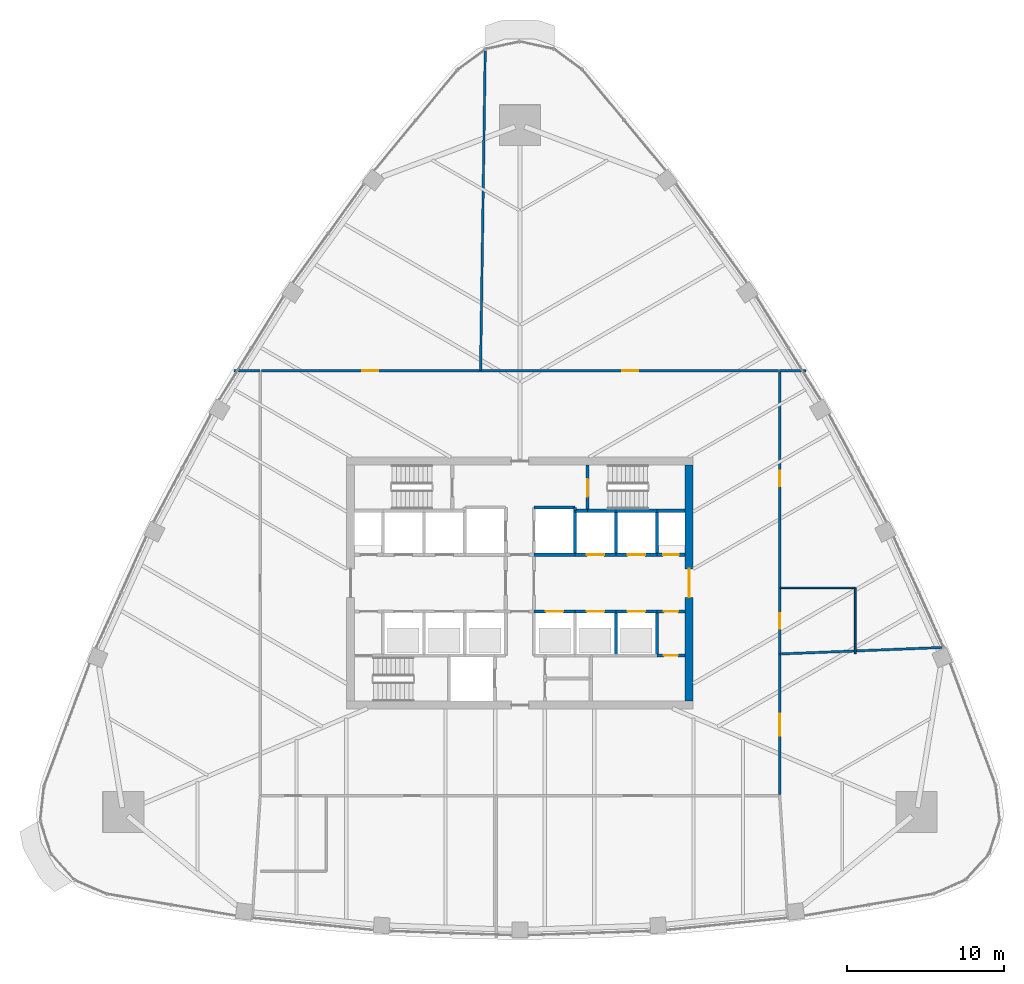
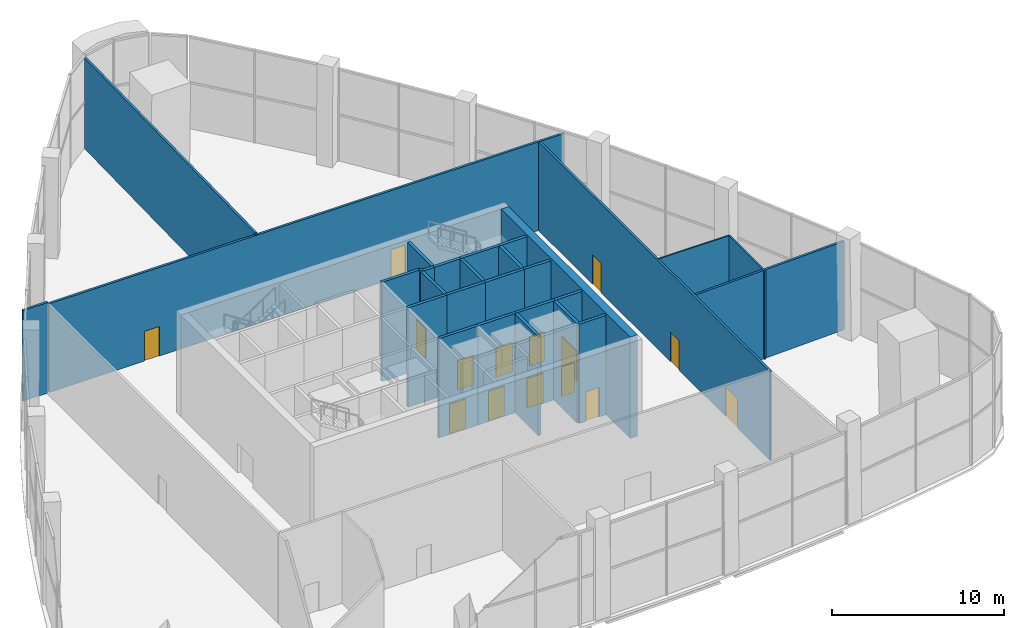
# One storey, part 11 of 15: 30 walls, 15 doors, 15 openings.
"""IFC4 building model written with IfcOpenShell, lengths in metres."""

from ifc_helpers import new_model, si_unit, direction, frame, frame_2d, origin, place, context, subcontext, project, spatial, rectangle, extrude, material, layer, layer_set, type_object, element, fill, save


model = new_model("IFC4")

# Units and contexts
model_context = context("Model", 3, precision=1e-05, world=origin(), true_north=direction((0.0, 1.0)))
body_context = subcontext(model_context, "Body", "Model", "MODEL_VIEW")
ifc_project = project(units=[si_unit("LENGTHUNIT", "METRE"), si_unit("AREAUNIT", "SQUARE_METRE"), si_unit("VOLUMEUNIT", "CUBIC_METRE"), si_unit("PLANEANGLEUNIT", "RADIAN"), si_unit("MASSUNIT", "GRAM", prefix="KILO")], contexts=[model_context])

# Site, building, storey
site_placement = place(None, origin())
site = spatial("IfcSite", under=ifc_project, at=site_placement, CompositionType="ELEMENT")
building_placement = place(site_placement, origin())
building = spatial("IfcBuilding", under=site, at=building_placement, Name="Sierra Prisma Convention Tower", CompositionType="ELEMENT")
storey_placement = place(building_placement, frame((0.0, 0.0, 118.60009765625)))
storey = spatial("IfcBuildingStorey", under=building, at=storey_placement, Name="L25", CompositionType="ELEMENT", Elevation=118.60009765625)

# Walls
ifc_material_1 = material(Name="Gypsum board partition", Category="gypsum")
ifc_layer_1 = layer(ifc_material_1, 0.10009765625)
ifc_layer_set_1 = layer_set([ifc_layer_1], Name="Bathroom partition 100")
wall_type_1 = type_object("IfcWallType", Name="Bathroom partition 100", PredefinedType="PARTITIONING", material=ifc_layer_set_1)
wall_1_placement = place(storey_placement, frame((16.530029296875, -0.300048828125, 0.0), z_axis=(0.0, 0.0, 1.0), x_axis=(1.0, 0.0, 0.0)))
element("IfcWall", 1, at=wall_1_placement, inside=storey, type_object=wall_type_1, Name="Partition L25 bath 3", PredefinedType="PARTITIONING", context=body_context, shape_type="SweptSolid", body=[
    extrude(rectangle(XDim=4.77001953125, YDim=0.10009765625, at=frame_2d((2.385009765625, 0.0))), origin(), (0.0, 0.0, 1.0), 6.296875),
])
wall_2_placement = place(storey_placement, frame((21.300048828125, -0.300048828125, 0.0), z_axis=(0.0, 0.0, 1.0), x_axis=(0.0, -1.0, 0.0)))
element("IfcWall", 2, at=wall_2_placement, inside=storey, type_object=wall_type_1, Name="Partition L25 bath 4", PredefinedType="PARTITIONING", context=body_context, shape_type="SweptSolid", body=[
    extrude(rectangle(XDim=4.169921875, YDim=0.10009765625, at=frame_2d((2.0849609375, 0.0))), origin(), (0.0, 0.0, 1.0), 6.296875),
])

# Wall, opening, door
ifc_material_2 = material(Name="Concrete C30/37", Category="concrete")
ifc_layer_2 = layer(ifc_material_2, 0.199951171875)
ifc_layer_set_2 = layer_set([ifc_layer_2], Name="Core wall RC 200 C30/37")
wall_type_2 = type_object("IfcWallType", Name="Core wall RC 200 C30/37", PredefinedType="SOLIDWALL", material=ifc_layer_set_2)
wall_3_placement = place(storey_placement, frame((0.89990234375, -1.800048828125, 0.0), z_axis=(0.0, 0.0, 1.0), x_axis=(1.0, 0.0, 0.0)))
wall_3 = element("IfcWall", 3, at=wall_3_placement, inside=storey, type_object=wall_type_2, Name="Core wall L25 35", PredefinedType="SOLIDWALL", context=body_context, shape_type="SweptSolid", body=[
    extrude(rectangle(XDim=2.60009765625, YDim=0.199951171875, at=frame_2d((1.300048828125, 0.0))), origin(), (0.0, 0.0, 1.0), 7.0498046875),
])
opening_1_placement = place(wall_3_placement, frame((0.75, 0.0, 0.0)))
opening_1 = element("IfcOpeningElement", 4, at=opening_1_placement, cuts=wall_3, Name="Opening L25-D004", PredefinedType="OPENING", context=body_context, shape_type="SweptSolid", body=[
    extrude(rectangle(XDim=1.10009765625, YDim=2.10009765625, at=frame_2d((0.550048828125, 1.050048828125))), frame((0.0, 0.10009765625, 0.0), z_axis=(0.0, -1.0, 0.0), x_axis=(1.0, 0.0, 0.0)), (0.0, 0.0, 1.0), 0.199951171875),
])
ifc_material_3 = material(Name="Steel fire door leaf", Category="steel")
door_type_1 = type_object("IfcDoorType", Name="Door 1100x2100 EI 90 sliding lift landing", OperationType="SLIDING_TO_LEFT", PredefinedType="DOOR", material=ifc_material_3)
door_1_placement = place(opening_1_placement, origin())
door_1 = element("IfcDoor", 5, at=door_1_placement, inside=storey, type_object=door_type_1, Name="Door L25 13", OperationType="SLIDING_TO_LEFT", OverallHeight=2.10009765625, OverallWidth=1.10009765625, PredefinedType="DOOR", context=body_context, shape_type="SweptSolid", body=[
    extrude(rectangle(XDim=1.10009765625, YDim=2.10009765625, at=frame_2d((0.550048828125, 1.050048828125))), frame((0.0, 0.02490234375, 0.0), z_axis=(0.0, -1.0, 0.0), x_axis=(1.0, 0.0, 0.0)), (0.0, 0.0, 1.0), 0.050048828125),
])
fill(opening_1, door_1)

# Walls
wall_4_placement = place(storey_placement, frame((3.5, 1.800048828125, 0.0), z_axis=(0.0, 0.0, 1.0), x_axis=(-1.0, 0.0, 0.0)))
element("IfcWall", 6, at=wall_4_placement, inside=storey, type_object=wall_type_2, Name="Core wall L25 39", PredefinedType="SOLIDWALL", context=body_context, shape_type="SweptSolid", body=[
    extrude(rectangle(XDim=2.60009765625, YDim=0.199951171875, at=frame_2d((1.300048828125, 0.0))), origin(), (0.0, 0.0, 1.0), 7.0498046875),
])
wall_5_placement = place(storey_placement, frame((3.5, 4.60009765625, 0.0), z_axis=(0.0, 0.0, 1.0), x_axis=(0.0, 1.0, 0.0)))
element("IfcWall", 7, at=wall_5_placement, inside=storey, type_object=wall_type_2, Name="Core wall L25 40", PredefinedType="SOLIDWALL", context=body_context, shape_type="SweptSolid", body=[
    extrude(rectangle(XDim=0.199951171875, YDim=0.199951171875, at=frame_2d((0.10009765625, 0.0))), origin(), (0.0, 0.0, 1.0), 7.0498046875),
])
wall_6_placement = place(storey_placement, frame((3.5, 4.800048828125, 0.0), z_axis=(0.0, 0.0, 1.0), x_axis=(-1.0, 0.0, 0.0)))
element("IfcWall", 8, at=wall_6_placement, inside=storey, type_object=wall_type_2, Name="Core wall L25 41", PredefinedType="SOLIDWALL", context=body_context, shape_type="SweptSolid", body=[
    extrude(rectangle(XDim=2.60009765625, YDim=0.199951171875, at=frame_2d((1.300048828125, 0.0))), origin(), (0.0, 0.0, 1.0), 7.0498046875),
])

# Wall, opening, door
wall_7_placement = place(storey_placement, frame((3.5, -1.800048828125, 0.0), z_axis=(0.0, 0.0, 1.0), x_axis=(1.0, 0.0, 0.0)))
wall_7 = element("IfcWall", 9, at=wall_7_placement, inside=storey, type_object=wall_type_2, Name="Core wall L25 49", PredefinedType="SOLIDWALL", context=body_context, shape_type="SweptSolid", body=[
    extrude(rectangle(XDim=2.60009765625, YDim=0.199951171875, at=frame_2d((1.300048828125, 0.0))), origin(), (0.0, 0.0, 1.0), 7.0498046875),
])
opening_2_placement = place(wall_7_placement, frame((0.75, 0.0, 0.0)))
opening_2 = element("IfcOpeningElement", 10, at=opening_2_placement, cuts=wall_7, Name="Opening L25-D005", PredefinedType="OPENING", context=body_context, shape_type="SweptSolid", body=[
    extrude(rectangle(XDim=1.10009765625, YDim=2.10009765625, at=frame_2d((0.550048828125, 1.050048828125))), frame((0.0, 0.10009765625, 0.0), z_axis=(0.0, -1.0, 0.0), x_axis=(1.0, 0.0, 0.0)), (0.0, 0.0, 1.0), 0.199951171875),
])
door_2_placement = place(opening_2_placement, origin())
door_2 = element("IfcDoor", 11, at=door_2_placement, inside=storey, type_object=door_type_1, Name="Door L25 14", OperationType="SLIDING_TO_RIGHT", OverallHeight=2.10009765625, OverallWidth=1.10009765625, PredefinedType="DOOR", context=body_context, shape_type="SweptSolid", body=[
    extrude(rectangle(XDim=1.10009765625, YDim=2.10009765625, at=frame_2d((0.550048828125, 1.050048828125))), frame((0.0, 0.02490234375, 0.0), z_axis=(0.0, -1.0, 0.0), x_axis=(1.0, 0.0, 0.0)), (0.0, 0.0, 1.0), 0.050048828125),
])
fill(opening_2, door_2)

wall_8_placement = place(storey_placement, frame((6.10009765625, 1.800048828125, 0.0), z_axis=(0.0, 0.0, 1.0), x_axis=(-1.0, 0.0, 0.0)))
wall_8 = element("IfcWall", 12, at=wall_8_placement, inside=storey, type_object=wall_type_2, Name="Core wall L25 50", PredefinedType="SOLIDWALL", context=body_context, shape_type="SweptSolid", body=[
    extrude(rectangle(XDim=2.60009765625, YDim=0.199951171875, at=frame_2d((1.300048828125, 0.0))), origin(), (0.0, 0.0, 1.0), 7.0498046875),
])
opening_3_placement = place(wall_8_placement, frame((0.75, 0.0, 0.0)))
opening_3 = element("IfcOpeningElement", 13, at=opening_3_placement, cuts=wall_8, Name="Opening L25-D009", PredefinedType="OPENING", context=body_context, shape_type="SweptSolid", body=[
    extrude(rectangle(XDim=1.10009765625, YDim=2.10009765625, at=frame_2d((0.550048828125, 1.050048828125))), frame((0.0, 0.10009765625, 0.0), z_axis=(0.0, -1.0, 0.0), x_axis=(1.0, 0.0, 0.0)), (0.0, 0.0, 1.0), 0.199951171875),
])
door_3_placement = place(opening_3_placement, origin())
door_3 = element("IfcDoor", 14, at=door_3_placement, inside=storey, type_object=door_type_1, Name="Door L25 18", OperationType="SLIDING_TO_RIGHT", OverallHeight=2.10009765625, OverallWidth=1.10009765625, PredefinedType="DOOR", context=body_context, shape_type="SweptSolid", body=[
    extrude(rectangle(XDim=1.10009765625, YDim=2.10009765625, at=frame_2d((0.550048828125, 1.050048828125))), frame((0.0, 0.02490234375, 0.0), z_axis=(0.0, -1.0, 0.0), x_axis=(1.0, 0.0, 0.0)), (0.0, 0.0, 1.0), 0.050048828125),
])
fill(opening_3, door_3)

# Walls
wall_9_placement = place(storey_placement, frame((3.5, 1.800048828125, 0.0), z_axis=(0.0, 0.0, 1.0), x_axis=(0.0, 1.0, 0.0)))
element("IfcWall", 15, at=wall_9_placement, inside=storey, type_object=wall_type_2, Name="Core wall L25 51", PredefinedType="SOLIDWALL", context=body_context, shape_type="SweptSolid", body=[
    extrude(rectangle(XDim=2.800048828125, YDim=0.199951171875, at=frame_2d((1.39990234375, 0.0))), origin(), (0.0, 0.0, 1.0), 7.0498046875),
])
wall_10_placement = place(storey_placement, frame((4.300048828125, 4.60009765625, 0.0), z_axis=(0.0, 0.0, 1.0), x_axis=(-1.0, 0.0, 0.0)))
element("IfcWall", 16, at=wall_10_placement, inside=storey, type_object=wall_type_2, Name="Core wall L25 52", PredefinedType="SOLIDWALL", context=body_context, shape_type="SweptSolid", body=[
    extrude(rectangle(XDim=0.800048828125, YDim=0.199951171875, at=frame_2d((0.39990234375, 0.0))), origin(), (0.0, 0.0, 1.0), 7.0498046875),
])
wall_11_placement = place(storey_placement, frame((6.10009765625, 4.60009765625, 0.0), z_axis=(0.0, 0.0, 1.0), x_axis=(-1.0, 0.0, 0.0)))
element("IfcWall", 17, at=wall_11_placement, inside=storey, type_object=wall_type_2, Name="Core wall L25 53", PredefinedType="SOLIDWALL", context=body_context, shape_type="SweptSolid", body=[
    extrude(rectangle(XDim=1.800048828125, YDim=0.199951171875, at=frame_2d((0.89990234375, 0.0))), origin(), (0.0, 0.0, 1.0), 7.0498046875),
])

# Wall, opening, door
wall_12_placement = place(storey_placement, frame((4.300048828125, 7.5, 0.0), z_axis=(0.0, 0.0, 1.0), x_axis=(0.0, -1.0, 0.0)))
wall_12 = element("IfcWall", 18, at=wall_12_placement, inside=storey, type_object=wall_type_2, Name="Core wall L25 54", PredefinedType="SOLIDWALL", context=body_context, shape_type="SweptSolid", body=[
    extrude(rectangle(XDim=2.89990234375, YDim=0.199951171875, at=frame_2d((1.449951171875, 0.0))), origin(), (0.0, 0.0, 1.0), 7.0498046875),
])
opening_4_placement = place(wall_12_placement, frame((0.89990234375, 0.0, 0.0)))
opening_4 = element("IfcOpeningElement", 19, at=opening_4_placement, cuts=wall_12, Name="Opening L25-D023", PredefinedType="OPENING", context=body_context, shape_type="SweptSolid", body=[
    extrude(rectangle(XDim=1.10009765625, YDim=2.10009765625, at=frame_2d((0.550048828125, 1.050048828125))), frame((0.0, 0.10009765625, 0.0), z_axis=(0.0, -1.0, 0.0), x_axis=(1.0, 0.0, 0.0)), (0.0, 0.0, 1.0), 0.199951171875),
])
ifc_material_4 = material(Name="Steel fire door leaf", Category="steel")
door_type_2 = type_object("IfcDoorType", Name="Door 1100x2100 FD90S", OperationType="SINGLE_SWING_LEFT", PredefinedType="DOOR", material=ifc_material_4)
door_4_placement = place(opening_4_placement, origin())
door_4 = element("IfcDoor", 20, at=door_4_placement, inside=storey, type_object=door_type_2, Name="Door L25 32", OperationType="SINGLE_SWING_RIGHT", OverallHeight=2.10009765625, OverallWidth=1.10009765625, PredefinedType="DOOR", context=body_context, shape_type="SweptSolid", body=[
    extrude(rectangle(XDim=1.10009765625, YDim=2.10009765625, at=frame_2d((0.550048828125, 1.050048828125))), frame((0.0, 0.02490234375, 0.0), z_axis=(0.0, -1.0, 0.0), x_axis=(1.0, 0.0, 0.0)), (0.0, 0.0, 1.0), 0.050048828125),
])
fill(opening_4, door_4)

# Wall
wall_13_placement = place(storey_placement, frame((6.10009765625, -4.60009765625, 0.0), z_axis=(0.0, 0.0, 1.0), x_axis=(0.0, 1.0, 0.0)))
element("IfcWall", 21, at=wall_13_placement, inside=storey, type_object=wall_type_2, Name="Core wall L25 59", PredefinedType="SOLIDWALL", context=body_context, shape_type="SweptSolid", body=[
    extrude(rectangle(XDim=2.800048828125, YDim=0.199951171875, at=frame_2d((1.39990234375, 0.0))), origin(), (0.0, 0.0, 1.0), 7.0498046875),
])

# Wall, opening, door
wall_14_placement = place(storey_placement, frame((6.10009765625, -1.800048828125, 0.0), z_axis=(0.0, 0.0, 1.0), x_axis=(1.0, 0.0, 0.0)))
wall_14 = element("IfcWall", 22, at=wall_14_placement, inside=storey, type_object=wall_type_2, Name="Core wall L25 60", PredefinedType="SOLIDWALL", context=body_context, shape_type="SweptSolid", body=[
    extrude(rectangle(XDim=2.599853515625, YDim=0.199951171875, at=frame_2d((1.2998046875, 0.0))), origin(), (0.0, 0.0, 1.0), 7.0498046875),
])
opening_5_placement = place(wall_14_placement, frame((0.75, 0.0, 0.0)))
opening_5 = element("IfcOpeningElement", 23, at=opening_5_placement, cuts=wall_14, Name="Opening L25-D006", PredefinedType="OPENING", context=body_context, shape_type="SweptSolid", body=[
    extrude(rectangle(XDim=1.10009765625, YDim=2.10009765625, at=frame_2d((0.550048828125, 1.050048828125))), frame((0.0, 0.10009765625, 0.0), z_axis=(0.0, -1.0, 0.0), x_axis=(1.0, 0.0, 0.0)), (0.0, 0.0, 1.0), 0.199951171875),
])
door_5_placement = place(opening_5_placement, origin())
door_5 = element("IfcDoor", 24, at=door_5_placement, inside=storey, type_object=door_type_1, Name="Door L25 15", OperationType="SLIDING_TO_RIGHT", OverallHeight=2.10009765625, OverallWidth=1.10009765625, PredefinedType="DOOR", context=body_context, shape_type="SweptSolid", body=[
    extrude(rectangle(XDim=1.10009765625, YDim=2.10009765625, at=frame_2d((0.550048828125, 1.050048828125))), frame((0.0, 0.02490234375, 0.0), z_axis=(0.0, -1.0, 0.0), x_axis=(1.0, 0.0, 0.0)), (0.0, 0.0, 1.0), 0.050048828125),
])
fill(opening_5, door_5)

wall_15_placement = place(storey_placement, frame((8.699951171875, 1.800048828125, 0.0), z_axis=(0.0, 0.0, 1.0), x_axis=(-1.0, 0.0, 0.0)))
wall_15 = element("IfcWall", 25, at=wall_15_placement, inside=storey, type_object=wall_type_2, Name="Core wall L25 61", PredefinedType="SOLIDWALL", context=body_context, shape_type="SweptSolid", body=[
    extrude(rectangle(XDim=2.599853515625, YDim=0.199951171875, at=frame_2d((1.2998046875, 0.0))), origin(), (0.0, 0.0, 1.0), 7.0498046875),
])
opening_6_placement = place(wall_15_placement, frame((0.75, 0.0, 0.0)))
opening_6 = element("IfcOpeningElement", 26, at=opening_6_placement, cuts=wall_15, Name="Opening L25-D010", PredefinedType="OPENING", context=body_context, shape_type="SweptSolid", body=[
    extrude(rectangle(XDim=1.10009765625, YDim=2.10009765625, at=frame_2d((0.550048828125, 1.050048828125))), frame((0.0, 0.10009765625, 0.0), z_axis=(0.0, -1.0, 0.0), x_axis=(1.0, 0.0, 0.0)), (0.0, 0.0, 1.0), 0.199951171875),
])
door_6_placement = place(opening_6_placement, origin())
door_6 = element("IfcDoor", 27, at=door_6_placement, inside=storey, type_object=door_type_1, Name="Door L25 19", OperationType="SLIDING_TO_RIGHT", OverallHeight=2.10009765625, OverallWidth=1.10009765625, PredefinedType="DOOR", context=body_context, shape_type="SweptSolid", body=[
    extrude(rectangle(XDim=1.10009765625, YDim=2.10009765625, at=frame_2d((0.550048828125, 1.050048828125))), frame((0.0, 0.02490234375, 0.0), z_axis=(0.0, -1.0, 0.0), x_axis=(1.0, 0.0, 0.0)), (0.0, 0.0, 1.0), 0.050048828125),
])
fill(opening_6, door_6)

# Walls
wall_16_placement = place(storey_placement, frame((6.10009765625, 1.800048828125, 0.0), z_axis=(0.0, 0.0, 1.0), x_axis=(0.0, 1.0, 0.0)))
element("IfcWall", 28, at=wall_16_placement, inside=storey, type_object=wall_type_2, Name="Core wall L25 62", PredefinedType="SOLIDWALL", context=body_context, shape_type="SweptSolid", body=[
    extrude(rectangle(XDim=2.800048828125, YDim=0.199951171875, at=frame_2d((1.39990234375, 0.0))), origin(), (0.0, 0.0, 1.0), 7.0498046875),
])
wall_17_placement = place(storey_placement, frame((8.699951171875, 4.60009765625, 0.0), z_axis=(0.0, 0.0, 1.0), x_axis=(-1.0, 0.0, 0.0)))
element("IfcWall", 29, at=wall_17_placement, inside=storey, type_object=wall_type_2, Name="Core wall L25 63", PredefinedType="SOLIDWALL", context=body_context, shape_type="SweptSolid", body=[
    extrude(rectangle(XDim=2.599853515625, YDim=0.199951171875, at=frame_2d((1.2998046875, 0.0))), origin(), (0.0, 0.0, 1.0), 7.0498046875),
])

# Wall, opening, door
wall_18_placement = place(storey_placement, frame((10.5, -4.60009765625, 0.0), z_axis=(0.0, 0.0, 1.0), x_axis=(-1.0, 0.0, 0.0)))
wall_18 = element("IfcWall", 30, at=wall_18_placement, inside=storey, type_object=wall_type_2, Name="Core wall L25 64", PredefinedType="SOLIDWALL", context=body_context, shape_type="SweptSolid", body=[
    extrude(rectangle(XDim=1.800048828125, YDim=0.199951171875, at=frame_2d((0.89990234375, 0.0))), origin(), (0.0, 0.0, 1.0), 7.0498046875),
])
opening_7_placement = place(wall_18_placement, frame((0.4599609375, 0.0, 0.0)))
opening_7 = element("IfcOpeningElement", 31, at=opening_7_placement, cuts=wall_18, Name="Opening L25-D024", PredefinedType="OPENING", context=body_context, shape_type="SweptSolid", body=[
    extrude(rectangle(XDim=0.89990234375, YDim=2.10009765625, at=frame_2d((0.449951171875, 1.050048828125))), frame((0.0, 0.10009765625, 0.0), z_axis=(0.0, -1.0, 0.0), x_axis=(1.0, 0.0, 0.0)), (0.0, 0.0, 1.0), 0.199951171875),
])
ifc_material_5 = material(Name="Steel fire door leaf", Category="steel")
door_type_3 = type_object("IfcDoorType", Name="Door 900x2100 FD30S", OperationType="SINGLE_SWING_LEFT", PredefinedType="DOOR", material=ifc_material_5)
door_7_placement = place(opening_7_placement, origin())
door_7 = element("IfcDoor", 32, at=door_7_placement, inside=storey, type_object=door_type_3, Name="Door L25 33", OperationType="SINGLE_SWING_RIGHT", OverallHeight=2.10009765625, OverallWidth=0.89990234375, PredefinedType="DOOR", context=body_context, shape_type="SweptSolid", body=[
    extrude(rectangle(XDim=0.89990234375, YDim=2.10009765625, at=frame_2d((0.449951171875, 1.050048828125))), frame((0.0, 0.02490234375, 0.0), z_axis=(0.0, -1.0, 0.0), x_axis=(1.0, 0.0, 0.0)), (0.0, 0.0, 1.0), 0.050048828125),
])
fill(opening_7, door_7)

# Wall
wall_19_placement = place(storey_placement, frame((8.699951171875, -1.800048828125, 0.0), z_axis=(0.0, 0.0, 1.0), x_axis=(0.0, -1.0, 0.0)))
element("IfcWall", 33, at=wall_19_placement, inside=storey, type_object=wall_type_2, Name="Core wall L25 65", PredefinedType="SOLIDWALL", context=body_context, shape_type="SweptSolid", body=[
    extrude(rectangle(XDim=2.800048828125, YDim=0.199951171875, at=frame_2d((1.39990234375, 0.0))), origin(), (0.0, 0.0, 1.0), 7.0498046875),
])

# Wall, opening, door
wall_20_placement = place(storey_placement, frame((8.699951171875, -1.800048828125, 0.0), z_axis=(0.0, 0.0, 1.0), x_axis=(1.0, 0.0, 0.0)))
wall_20 = element("IfcWall", 34, at=wall_20_placement, inside=storey, type_object=wall_type_2, Name="Core wall L25 66", PredefinedType="SOLIDWALL", context=body_context, shape_type="SweptSolid", body=[
    extrude(rectangle(XDim=1.800048828125, YDim=0.199951171875, at=frame_2d((0.89990234375, 0.0))), origin(), (0.0, 0.0, 1.0), 7.0498046875),
])
opening_8_placement = place(wall_20_placement, frame((0.449951171875, 0.0, 0.0)))
opening_8 = element("IfcOpeningElement", 35, at=opening_8_placement, cuts=wall_20, Name="Opening L25-D025", PredefinedType="OPENING", context=body_context, shape_type="SweptSolid", body=[
    extrude(rectangle(XDim=0.89990234375, YDim=2.10009765625, at=frame_2d((0.449951171875, 1.050048828125))), frame((0.0, 0.10009765625, 0.0), z_axis=(0.0, -1.0, 0.0), x_axis=(1.0, 0.0, 0.0)), (0.0, 0.0, 1.0), 0.199951171875),
])
door_8_placement = place(opening_8_placement, origin())
door_8 = element("IfcDoor", 36, at=door_8_placement, inside=storey, type_object=door_type_3, Name="Door L25 34", OperationType="SINGLE_SWING_RIGHT", OverallHeight=2.10009765625, OverallWidth=0.89990234375, PredefinedType="DOOR", context=body_context, shape_type="SweptSolid", body=[
    extrude(rectangle(XDim=0.89990234375, YDim=2.10009765625, at=frame_2d((0.449951171875, 1.050048828125))), frame((0.0, 0.02490234375, 0.0), z_axis=(0.0, -1.0, 0.0), x_axis=(1.0, 0.0, 0.0)), (0.0, 0.0, 1.0), 0.050048828125),
])
fill(opening_8, door_8)

wall_21_placement = place(storey_placement, frame((10.5, 1.800048828125, 0.0), z_axis=(0.0, 0.0, 1.0), x_axis=(-1.0, 0.0, 0.0)))
wall_21 = element("IfcWall", 37, at=wall_21_placement, inside=storey, type_object=wall_type_2, Name="Core wall L25 67", PredefinedType="SOLIDWALL", context=body_context, shape_type="SweptSolid", body=[
    extrude(rectangle(XDim=1.800048828125, YDim=0.199951171875, at=frame_2d((0.89990234375, 0.0))), origin(), (0.0, 0.0, 1.0), 7.0498046875),
])
opening_9_placement = place(wall_21_placement, frame((0.39990234375, 0.0, 0.0)))
opening_9 = element("IfcOpeningElement", 38, at=opening_9_placement, cuts=wall_21, Name="Opening L25-D020", PredefinedType="OPENING", context=body_context, shape_type="SweptSolid", body=[
    extrude(rectangle(XDim=1.0, YDim=2.10009765625, at=frame_2d((0.5, 1.050048828125))), frame((0.0, 0.10009765625, 0.0), z_axis=(0.0, -1.0, 0.0), x_axis=(1.0, 0.0, 0.0)), (0.0, 0.0, 1.0), 0.199951171875),
])
ifc_material_6 = material(Name="Steel fire door leaf", Category="steel")
door_type_4 = type_object("IfcDoorType", Name="Door 1000x2100 FD60S", OperationType="SINGLE_SWING_LEFT", PredefinedType="DOOR", material=ifc_material_6)
door_9_placement = place(opening_9_placement, origin())
door_9 = element("IfcDoor", 39, at=door_9_placement, inside=storey, type_object=door_type_4, Name="Door L25 29", OperationType="SINGLE_SWING_LEFT", OverallHeight=2.10009765625, OverallWidth=1.0, PredefinedType="DOOR", context=body_context, shape_type="SweptSolid", body=[
    extrude(rectangle(XDim=1.0, YDim=2.10009765625, at=frame_2d((0.5, 1.050048828125))), frame((0.0, 0.02490234375, 0.0), z_axis=(0.0, -1.0, 0.0), x_axis=(1.0, 0.0, 0.0)), (0.0, 0.0, 1.0), 0.050048828125),
])
fill(opening_9, door_9)

# Walls
wall_22_placement = place(storey_placement, frame((8.699951171875, 4.60009765625, 0.0), z_axis=(0.0, 0.0, 1.0), x_axis=(0.0, -1.0, 0.0)))
element("IfcWall", 40, at=wall_22_placement, inside=storey, type_object=wall_type_2, Name="Core wall L25 68", PredefinedType="SOLIDWALL", context=body_context, shape_type="SweptSolid", body=[
    extrude(rectangle(XDim=2.800048828125, YDim=0.199951171875, at=frame_2d((1.39990234375, 0.0))), origin(), (0.0, 0.0, 1.0), 7.0498046875),
])
wall_23_placement = place(storey_placement, frame((10.5, 4.60009765625, 0.0), z_axis=(0.0, 0.0, 1.0), x_axis=(-1.0, 0.0, 0.0)))
element("IfcWall", 41, at=wall_23_placement, inside=storey, type_object=wall_type_2, Name="Core wall L25 69", PredefinedType="SOLIDWALL", context=body_context, shape_type="SweptSolid", body=[
    extrude(rectangle(XDim=1.800048828125, YDim=0.199951171875, at=frame_2d((0.89990234375, 0.0))), origin(), (0.0, 0.0, 1.0), 7.0498046875),
])

# Wall, opening, door
ifc_material_7 = material(Name="Concrete C60/75", Category="concrete")
ifc_layer_3 = layer(ifc_material_7, 0.5)
ifc_layer_set_3 = layer_set([ifc_layer_3], Name="Core wall RC 500 C60/75")
wall_type_3 = type_object("IfcWallType", Name="Core wall RC 500 C60/75", PredefinedType="SHEAR", material=ifc_layer_set_3)
wall_24_placement = place(storey_placement, frame((10.75, -7.5, 0.0), z_axis=(0.0, 0.0, 1.0), x_axis=(0.0, 1.0, 0.0)))
wall_24 = element("IfcWall", 42, at=wall_24_placement, inside=storey, type_object=wall_type_3, Name="Core wall E L25", PredefinedType="SHEAR", context=body_context, shape_type="SweptSolid", body=[
    extrude(rectangle(XDim=15.0, YDim=0.5, at=frame_2d((7.5, 0.0))), origin(), (0.0, 0.0, 1.0), 7.199951171875),
])
opening_10_placement = place(wall_24_placement, frame((6.60009765625, 0.0, 0.0)))
opening_10 = element("IfcOpeningElement", 43, at=opening_10_placement, cuts=wall_24, Name="Opening L25-D037", PredefinedType="OPENING", context=body_context, shape_type="SweptSolid", body=[
    extrude(rectangle(XDim=1.800048828125, YDim=2.10009765625, at=frame_2d((0.89990234375, 1.050048828125))), frame((0.0, 0.25, 0.0), z_axis=(0.0, -1.0, 0.0), x_axis=(1.0, 0.0, 0.0)), (0.0, 0.0, 1.0), 0.5),
])
ifc_material_8 = material(Name="Steel fire door leaf", Category="steel")
door_type_5 = type_object("IfcDoorType", Name="Door 1800x2100 FD60S", OperationType="DOUBLE_DOOR_SINGLE_SWING", PredefinedType="DOOR", material=ifc_material_8)
door_10_placement = place(opening_10_placement, origin())
door_10 = element("IfcDoor", 44, at=door_10_placement, inside=storey, type_object=door_type_5, Name="Door L25 38", OperationType="DOUBLE_DOOR_SINGLE_SWING", OverallHeight=2.10009765625, OverallWidth=1.800048828125, PredefinedType="DOOR", context=body_context, shape_type="SweptSolid", body=[
    extrude(rectangle(XDim=1.800048828125, YDim=2.10009765625, at=frame_2d((0.89990234375, 1.050048828125))), frame((0.0, 0.02490234375, 0.0), z_axis=(0.0, -1.0, 0.0), x_axis=(1.0, 0.0, 0.0)), (0.0, 0.0, 1.0), 0.050048828125),
])
fill(opening_10, door_10)

# Wall, openings, doors
ifc_material_9 = material(Name="Gypsum board partition", Category="gypsum")
ifc_layer_4 = layer(ifc_material_9, 0.14990234375)
ifc_layer_set_4 = layer_set([ifc_layer_4], Name="Corridor wall 150 gypsum EI 60")
wall_type_4 = type_object("IfcWallType", Name="Corridor wall 150 gypsum EI 60", PredefinedType="PARTITIONING", material=ifc_layer_set_4)
wall_25_placement = place(storey_placement, frame((16.419921875, 13.5, 0.0), z_axis=(0.0, 0.0, 1.0), x_axis=(-1.0, 0.0, 0.0)))
wall_25 = element("IfcWall", 45, at=wall_25_placement, inside=storey, type_object=wall_type_4, Name="Partition L25 corr 3", PredefinedType="PARTITIONING", context=body_context, shape_type="SweptSolid", body=[
    extrude(rectangle(XDim=32.83984375, YDim=0.14990234375, at=frame_2d((16.419921875, 0.0))), origin(), (0.0, 0.0, 1.0), 6.296875),
])
opening_11_placement = place(wall_25_placement, frame((8.909912109375, 0.0, 0.0)))
opening_11 = element("IfcOpeningElement", 46, at=opening_11_placement, cuts=wall_25, Name="Opening L25-D030", PredefinedType="OPENING", context=body_context, shape_type="SweptSolid", body=[
    extrude(rectangle(XDim=1.0, YDim=2.10009765625, at=frame_2d((0.5, 1.050048828125))), frame((0.0, 0.074951171875, 0.0), z_axis=(0.0, -1.0, 0.0), x_axis=(1.0, 0.0, 0.0)), (0.0, 0.0, 1.0), 0.14990234375),
])
opening_12_placement = place(wall_25_placement, frame((25.429931640625, 0.0, 0.0)))
opening_12 = element("IfcOpeningElement", 47, at=opening_12_placement, cuts=wall_25, Name="Opening L25-D031", PredefinedType="OPENING", context=body_context, shape_type="SweptSolid", body=[
    extrude(rectangle(XDim=1.0, YDim=2.10009765625, at=frame_2d((0.5, 1.050048828125))), frame((0.0, 0.074951171875, 0.0), z_axis=(0.0, -1.0, 0.0), x_axis=(1.0, 0.0, 0.0)), (0.0, 0.0, 1.0), 0.14990234375),
])
ifc_material_10 = material(Name="Steel fire door leaf", Category="steel")
door_type_6 = type_object("IfcDoorType", Name="Door 1000x2100 FD30S", OperationType="SINGLE_SWING_LEFT", PredefinedType="DOOR", material=ifc_material_10)
door_11_placement = place(opening_11_placement, origin())
door_11 = element("IfcDoor", 48, at=door_11_placement, inside=storey, type_object=door_type_6, Name="Door L25 3", OperationType="SINGLE_SWING_RIGHT", OverallHeight=2.10009765625, OverallWidth=1.0, PredefinedType="DOOR", context=body_context, shape_type="SweptSolid", body=[
    extrude(rectangle(XDim=1.0, YDim=2.10009765625, at=frame_2d((0.5, 1.050048828125))), frame((0.0, 0.02490234375, 0.0), z_axis=(0.0, -1.0, 0.0), x_axis=(1.0, 0.0, 0.0)), (0.0, 0.0, 1.0), 0.050048828125),
])
fill(opening_11, door_11)
door_12_placement = place(opening_12_placement, origin())
door_12 = element("IfcDoor", 49, at=door_12_placement, inside=storey, type_object=door_type_6, Name="Door L25 4", OperationType="SINGLE_SWING_RIGHT", OverallHeight=2.10009765625, OverallWidth=1.0, PredefinedType="DOOR", context=body_context, shape_type="SweptSolid", body=[
    extrude(rectangle(XDim=1.0, YDim=2.10009765625, at=frame_2d((0.5, 1.050048828125))), frame((0.0, 0.02490234375, 0.0), z_axis=(0.0, -1.0, 0.0), x_axis=(1.0, 0.0, 0.0)), (0.0, 0.0, 1.0), 0.050048828125),
])
fill(opening_12, door_12)

wall_26_placement = place(storey_placement, frame((16.5, -13.419921875, 0.0), z_axis=(0.0, 0.0, 1.0), x_axis=(0.0, 1.0, 0.0)))
wall_26 = element("IfcWall", 50, at=wall_26_placement, inside=storey, type_object=wall_type_4, Name="Partition L25 corr 4", PredefinedType="PARTITIONING", context=body_context, shape_type="SweptSolid", body=[
    extrude(rectangle(XDim=26.83984375, YDim=0.14990234375, at=frame_2d((13.419921875, 0.0))), origin(), (0.0, 0.0, 1.0), 6.296875),
])
opening_13_placement = place(wall_26_placement, frame((10.52001953125, 0.0, 0.0)))
opening_13 = element("IfcOpeningElement", 51, at=opening_13_placement, cuts=wall_26, Name="Opening L25-D028", PredefinedType="OPENING", context=body_context, shape_type="SweptSolid", body=[
    extrude(rectangle(XDim=1.0, YDim=2.10009765625, at=frame_2d((0.5, 1.050048828125))), frame((0.0, 0.074951171875, 0.0), z_axis=(0.0, -1.0, 0.0), x_axis=(1.0, 0.0, 0.0)), (0.0, 0.0, 1.0), 0.14990234375),
])
opening_14_placement = place(wall_26_placement, frame((19.570068359375, 0.0, 0.0)))
opening_14 = element("IfcOpeningElement", 52, at=opening_14_placement, cuts=wall_26, Name="Opening L25-D029", PredefinedType="OPENING", context=body_context, shape_type="SweptSolid", body=[
    extrude(rectangle(XDim=1.0, YDim=2.10009765625, at=frame_2d((0.5, 1.050048828125))), frame((0.0, 0.074951171875, 0.0), z_axis=(0.0, -1.0, 0.0), x_axis=(1.0, 0.0, 0.0)), (0.0, 0.0, 1.0), 0.14990234375),
])
opening_15_placement = place(wall_26_placement, frame((3.7099609375, 0.0, 0.0)))
opening_15 = element("IfcOpeningElement", 53, at=opening_15_placement, cuts=wall_26, Name="Opening L25-D036", PredefinedType="OPENING", context=body_context, shape_type="SweptSolid", body=[
    extrude(rectangle(XDim=1.39990234375, YDim=2.10009765625, at=frame_2d((0.699951171875, 1.050048828125))), frame((0.0, 0.074951171875, 0.0), z_axis=(0.0, -1.0, 0.0), x_axis=(1.0, 0.0, 0.0)), (0.0, 0.0, 1.0), 0.14990234375),
])
door_13_placement = place(opening_13_placement, origin())
door_13 = element("IfcDoor", 54, at=door_13_placement, inside=storey, type_object=door_type_6, Name="Door L25 1", OperationType="SINGLE_SWING_LEFT", OverallHeight=2.10009765625, OverallWidth=1.0, PredefinedType="DOOR", context=body_context, shape_type="SweptSolid", body=[
    extrude(rectangle(XDim=1.0, YDim=2.10009765625, at=frame_2d((0.5, 1.050048828125))), frame((0.0, 0.02490234375, 0.0), z_axis=(0.0, -1.0, 0.0), x_axis=(1.0, 0.0, 0.0)), (0.0, 0.0, 1.0), 0.050048828125),
])
fill(opening_13, door_13)
door_14_placement = place(opening_14_placement, origin())
door_14 = element("IfcDoor", 55, at=door_14_placement, inside=storey, type_object=door_type_6, Name="Door L25 2", OperationType="SINGLE_SWING_LEFT", OverallHeight=2.10009765625, OverallWidth=1.0, PredefinedType="DOOR", context=body_context, shape_type="SweptSolid", body=[
    extrude(rectangle(XDim=1.0, YDim=2.10009765625, at=frame_2d((0.5, 1.050048828125))), frame((0.0, 0.02490234375, 0.0), z_axis=(0.0, -1.0, 0.0), x_axis=(1.0, 0.0, 0.0)), (0.0, 0.0, 1.0), 0.050048828125),
])
fill(opening_14, door_14)
ifc_material_11 = material(Name="Steel fire door leaf", Category="steel")
door_type_7 = type_object("IfcDoorType", Name="Door 1400x2100 FD30S", OperationType="SINGLE_SWING_LEFT", PredefinedType="DOOR", material=ifc_material_11)
door_15_placement = place(opening_15_placement, origin())
door_15 = element("IfcDoor", 56, at=door_15_placement, inside=storey, type_object=door_type_7, Name="Door L25 9", OperationType="SINGLE_SWING_LEFT", OverallHeight=2.10009765625, OverallWidth=1.39990234375, PredefinedType="DOOR", context=body_context, shape_type="SweptSolid", body=[
    extrude(rectangle(XDim=1.39990234375, YDim=2.10009765625, at=frame_2d((0.699951171875, 1.050048828125))), frame((0.0, 0.02490234375, 0.0), z_axis=(0.0, -1.0, 0.0), x_axis=(1.0, 0.0, 0.0)), (0.0, 0.0, 1.0), 0.050048828125),
])
fill(opening_15, door_15)

# Walls
ifc_material_12 = material(Name="Gypsum board partition", Category="gypsum")
ifc_layer_5 = layer(ifc_material_12, 0.14990234375)
ifc_layer_set_5 = layer_set([ifc_layer_5], Name="Party wall 150 gypsum")
wall_type_5 = type_object("IfcWallType", Name="Party wall 150 gypsum", PredefinedType="PARTITIONING", material=ifc_layer_set_5)
wall_27_placement = place(storey_placement, frame((-16.5, 13.5, 0.0), z_axis=(0.0, 0.0, 1.0), x_axis=(-1.0, 0.0, 0.0)))
element("IfcWall", 57, at=wall_27_placement, inside=storey, type_object=wall_type_5, Name="Partition L25 party 1", PredefinedType="PARTITIONING", context=body_context, shape_type="SweptSolid", body=[
    extrude(rectangle(XDim=1.66748046875, YDim=0.14990234375, at=frame_2d((0.833740234375, 0.0))), origin(), (0.0, 0.0, 1.0), 6.433837890625),
])
wall_28_placement = place(storey_placement, frame((-2.5, 13.5, 0.0), z_axis=(0.0, 0.0, 1.0), x_axis=(0.014625487752, 0.999893041834, 0.0)))
element("IfcWall", 58, at=wall_28_placement, inside=storey, type_object=wall_type_5, Name="Partition L25 party 3", PredefinedType="PARTITIONING", context=body_context, shape_type="SweptSolid", body=[
    extrude(rectangle(XDim=20.315185546875, YDim=0.14990234375, at=frame_2d((10.15771484375, 0.0))), origin(), (0.0, 0.0, 1.0), 6.433837890625),
])
wall_29_placement = place(storey_placement, frame((26.813232421875, -4.087646484375, 0.0), z_axis=(0.0, 0.0, 1.0), x_axis=(-0.999201638714, -0.039951034912, 0.0)))
element("IfcWall", 59, at=wall_29_placement, inside=storey, type_object=wall_type_5, Name="Partition L25 party 6", PredefinedType="PARTITIONING", context=body_context, shape_type="SweptSolid", body=[
    extrude(rectangle(XDim=10.321533203125, YDim=0.14990234375, at=frame_2d((5.16064453125, 0.0))), origin(), (0.0, 0.0, 1.0), 6.283935546875),
])
wall_30_placement = place(storey_placement, frame((16.5, 13.5, 0.0), z_axis=(0.0, 0.0, 1.0), x_axis=(1.0, 0.0, 0.0)))
element("IfcWall", 60, at=wall_30_placement, inside=storey, type_object=wall_type_5, Name="Partition L25 party 7", PredefinedType="PARTITIONING", context=body_context, shape_type="SweptSolid", body=[
    extrude(rectangle(XDim=1.66748046875, YDim=0.14990234375, at=frame_2d((0.833740234375, 0.0))), origin(), (0.0, 0.0, 1.0), 6.283935546875),
])

save(model, "model.ifc")
